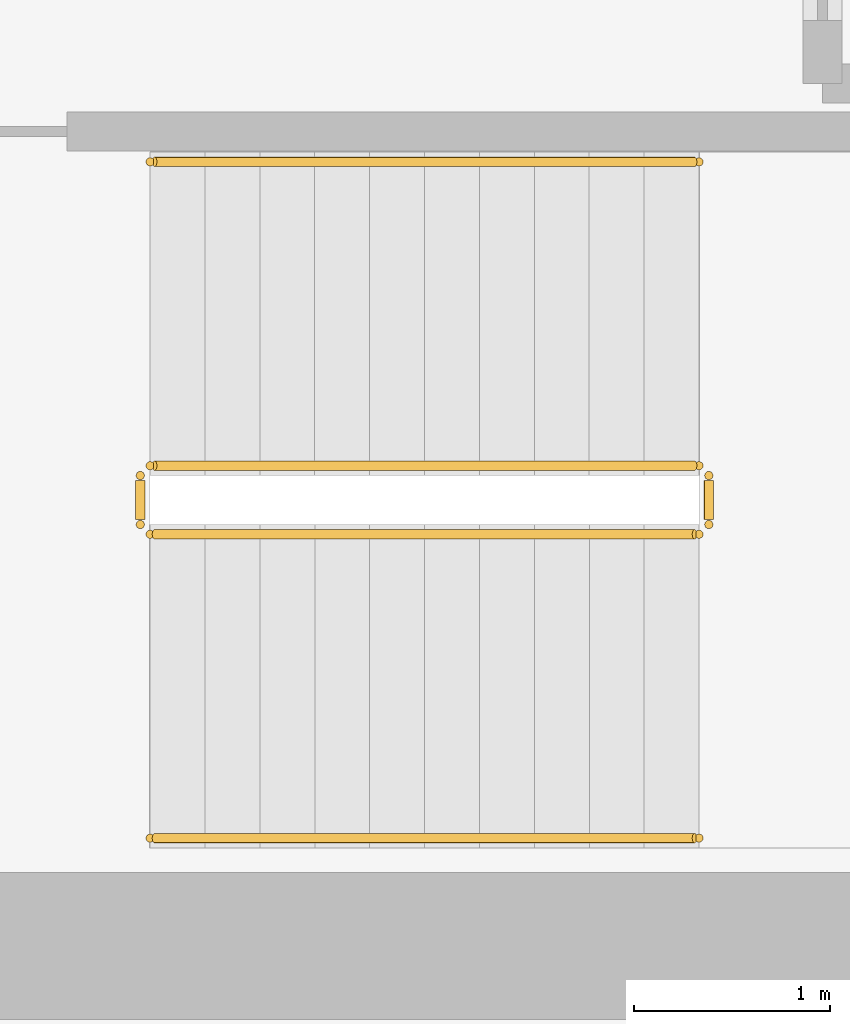
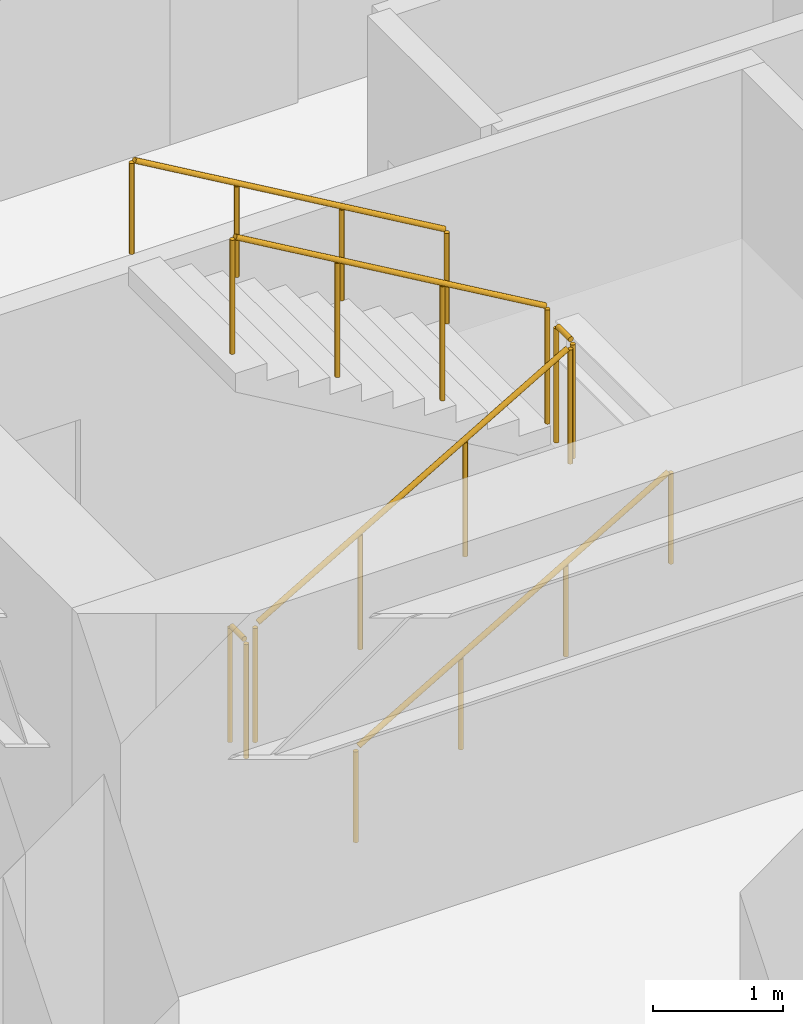
# One storey, part 11 of 11: 6 railings.
"""IFC4 building model written with IfcOpenShell, lengths in metres."""

from ifc_helpers import new_model, si_unit, direction, frame, origin, origin_2d, place, context, subcontext, project, spatial, circle, extrude, source, transform, mapped, material, layer, layer_set, type_object, element, save


model = new_model("IFC4")

# Units and contexts
model_context = context("Model", 3, precision=1e-05, world=origin(), true_north=direction((0.0, 1.0)))
body_context = subcontext(model_context, "Body", "Model", "MODEL_VIEW")
ifc_project = project(units=[si_unit("LENGTHUNIT", "METRE"), si_unit("AREAUNIT", "SQUARE_METRE"), si_unit("VOLUMEUNIT", "CUBIC_METRE"), si_unit("PLANEANGLEUNIT", "RADIAN"), si_unit("MASSUNIT", "GRAM", prefix="KILO")], contexts=[model_context])

# Site, building, storey
site_placement = place(None, origin())
site = spatial("IfcSite", under=ifc_project, at=site_placement, CompositionType="ELEMENT")
building_placement = place(site_placement, origin())
building = spatial("IfcBuilding", under=site, at=building_placement, Name="Kharzan Plaza Tower", CompositionType="ELEMENT")
storey_placement = place(building_placement, frame((0.0, 0.0, 120.60009765625)))
storey = spatial("IfcBuildingStorey", under=building, at=storey_placement, Name="L32", CompositionType="ELEMENT", Elevation=120.60009765625)

# Railings
ifc_material_1 = material(Name="Painted Galvanized Architectural Steel", Category="steel")
ifc_layer_1 = layer(ifc_material_1, 0.074951171875)
ifc_layer_set_1 = layer_set([ifc_layer_1], Name="Painted Galvanized Architectural Steel")
railing_type_1 = type_object("IfcRailingType", Name="RL-GUARD-1120", PredefinedType="BALUSTRADE", material=ifc_layer_set_1)
shared_shape_1 = source(origin(), body_context, "Body", "SweptSolid", [
    extrude(circle(Radius=0.02392578125, at=origin_2d()), frame((0.0, 0.0263671875, 1.09619140625), z_axis=(0.0, 1.0, 0.0), x_axis=(-1.0, 0.0, 0.0)), (0.0, 0.0, 1.0), 0.197021484375),
    extrude(circle(Radius=0.02099609375, at=origin_2d()), origin(), (0.0, 0.0, 1.0), 1.072021484375),
    extrude(circle(Radius=0.02099609375, at=origin_2d()), frame((0.0, 0.25, 0.0)), (0.0, 0.0, 1.0), 1.072021484375),
])
for number, where, name in (
    (1, (41.10009765625, 6.64990234375, 1.7998046875), "L32 ST-3 stair guard 2"),
    (2, (38.199951171875, 6.64990234375, 0.0), "L32 ST-3 stair guard 4"),
):
    element("IfcRailing", number, at=place(storey_placement, frame(where)), inside=storey, type_object=railing_type_1, Name=name, PredefinedType="BALUSTRADE", context=body_context, shape_type="MappedRepresentation", body=[
        mapped(shared_shape_1, transform((0.0, 0.0, 0.0), x_axis=(1.0, 0.0, 0.0), y_axis=(0.0, 1.0, 0.0), z_axis=(0.0, 0.0, 1.0))),
    ])
shared_shape_2 = source(origin(), body_context, "Body", "SweptSolid", [
    extrude(circle(Radius=0.02392578125, at=origin_2d()), frame((0.02294921875, 0.0, 1.109375), z_axis=(0.863393664356, 0.0, 0.504530851732), x_axis=(0.0, 1.0, 0.0)), (0.0, 0.0, 1.0), 3.190185546875),
    extrude(circle(Radius=0.02099609375, at=origin_2d()), origin(), (0.0, 0.0, 1.0), 1.072021484375),
    extrude(circle(Radius=0.02099609375, at=origin_2d()), frame((0.933349609375, 0.0, 0.54541015625)), (0.0, 0.0, 1.0), 1.072021484375),
    extrude(circle(Radius=0.02099609375, at=origin_2d()), frame((1.86669921875, 0.0, 1.0908203125)), (0.0, 0.0, 1.0), 1.072021484375),
    extrude(circle(Radius=0.02099609375, at=origin_2d()), frame((2.800048828125, 0.0, 1.63623046875)), (0.0, 0.0, 1.0), 1.072021484375),
])
railing_1_placement = place(storey_placement, frame((38.25, 6.60009765625, 0.16357421875)))
element("IfcRailing", 3, at=railing_1_placement, inside=storey, type_object=railing_type_1, Name="L32 ST-3 stair guard 1", PredefinedType="BALUSTRADE", context=body_context, shape_type="MappedRepresentation", body=[
    mapped(shared_shape_2, transform((0.0, 0.0, 0.0), x_axis=(1.0, 0.0, 0.0), y_axis=(0.0, 1.0, 0.0), z_axis=(0.0, 0.0, 1.0))),
])
shared_shape_3 = source(origin(), body_context, "Body", "SweptSolid", [
    extrude(circle(Radius=0.02392578125, at=origin_2d()), frame((-0.02294921875, 0.0, 1.109375), z_axis=(-0.863393664356, 0.0, 0.504530851732), x_axis=(0.0, -1.0, 0.0)), (0.0, 0.0, 1.0), 3.190185546875),
    extrude(circle(Radius=0.02099609375, at=origin_2d()), origin(), (0.0, 0.0, 1.0), 1.072021484375),
    extrude(circle(Radius=0.02099609375, at=origin_2d()), frame((-0.933349609375, 0.0, 0.54541015625)), (0.0, 0.0, 1.0), 1.072021484375),
    extrude(circle(Radius=0.02099609375, at=origin_2d()), frame((-1.86669921875, 0.0, 1.0908203125)), (0.0, 0.0, 1.0), 1.072021484375),
    extrude(circle(Radius=0.02099609375, at=origin_2d()), frame((-2.800048828125, 0.0, 1.63623046875)), (0.0, 0.0, 1.0), 1.072021484375),
])
railing_2_placement = place(storey_placement, frame((41.050048828125, 6.949951171875, 1.963623046875)))
element("IfcRailing", 4, at=railing_2_placement, inside=storey, type_object=railing_type_1, Name="L32 ST-3 stair guard 3", PredefinedType="BALUSTRADE", context=body_context, shape_type="MappedRepresentation", body=[
    mapped(shared_shape_3, transform((0.0, 0.0, 0.0), x_axis=(1.0, 0.0, 0.0), y_axis=(0.0, 1.0, 0.0), z_axis=(0.0, 0.0, 1.0))),
])
ifc_material_2 = material(Name="Brushed Stainless Steel", Category="steel")
ifc_layer_2 = layer(ifc_material_2, 0.050048828125)
ifc_layer_set_2 = layer_set([ifc_layer_2], Name="Brushed Stainless Steel")
railing_type_2 = type_object("IfcRailingType", Name="RL-STAIR-HR920", PredefinedType="HANDRAIL", material=ifc_layer_set_2)
shared_shape_4 = source(origin(), body_context, "Body", "SweptSolid", [
    extrude(circle(Radius=0.02392578125, at=origin_2d()), frame((0.02294921875, 0.0, 0.88916015625), z_axis=(0.863393664356, 0.0, 0.504530851732), x_axis=(0.0, 1.0, 0.0)), (0.0, 0.0, 1.0), 3.190185546875),
    extrude(circle(Radius=0.02099609375, at=origin_2d()), origin(), (0.0, 0.0, 1.0), 0.851806640625),
    extrude(circle(Radius=0.02099609375, at=origin_2d()), frame((0.933349609375, 0.0, 0.54541015625)), (0.0, 0.0, 1.0), 0.851806640625),
    extrude(circle(Radius=0.02099609375, at=origin_2d()), frame((1.86669921875, 0.0, 1.0908203125)), (0.0, 0.0, 1.0), 0.851806640625),
    extrude(circle(Radius=0.02099609375, at=origin_2d()), frame((2.800048828125, 0.0, 1.63623046875)), (0.0, 0.0, 1.0), 0.851806640625),
])
railing_3_placement = place(storey_placement, frame((38.25, 5.050048828125, 0.16357421875)))
element("IfcRailing", 5, at=railing_3_placement, inside=storey, type_object=railing_type_2, Name="L32 ST-3 stair handrail 1", PredefinedType="HANDRAIL", context=body_context, shape_type="MappedRepresentation", body=[
    mapped(shared_shape_4, transform((0.0, 0.0, 0.0), x_axis=(1.0, 0.0, 0.0), y_axis=(0.0, 1.0, 0.0), z_axis=(0.0, 0.0, 1.0))),
])
shared_shape_5 = source(origin(), body_context, "Body", "SweptSolid", [
    extrude(circle(Radius=0.02392578125, at=origin_2d()), frame((-0.02294921875, 0.0, 0.88916015625), z_axis=(-0.863393664356, 0.0, 0.504530851732), x_axis=(0.0, -1.0, 0.0)), (0.0, 0.0, 1.0), 3.190185546875),
    extrude(circle(Radius=0.02099609375, at=origin_2d()), origin(), (0.0, 0.0, 1.0), 0.851806640625),
    extrude(circle(Radius=0.02099609375, at=origin_2d()), frame((-0.933349609375, 0.0, 0.54541015625)), (0.0, 0.0, 1.0), 0.851806640625),
    extrude(circle(Radius=0.02099609375, at=origin_2d()), frame((-1.86669921875, 0.0, 1.0908203125)), (0.0, 0.0, 1.0), 0.851806640625),
    extrude(circle(Radius=0.02099609375, at=origin_2d()), frame((-2.800048828125, 0.0, 1.63623046875)), (0.0, 0.0, 1.0), 0.851806640625),
])
railing_4_placement = place(storey_placement, frame((41.050048828125, 8.5, 1.963623046875)))
element("IfcRailing", 6, at=railing_4_placement, inside=storey, type_object=railing_type_2, Name="L32 ST-3 stair handrail 2", PredefinedType="HANDRAIL", context=body_context, shape_type="MappedRepresentation", body=[
    mapped(shared_shape_5, transform((0.0, 0.0, 0.0), x_axis=(1.0, 0.0, 0.0), y_axis=(0.0, 1.0, 0.0), z_axis=(0.0, 0.0, 1.0))),
])

save(model, "model.ifc")
